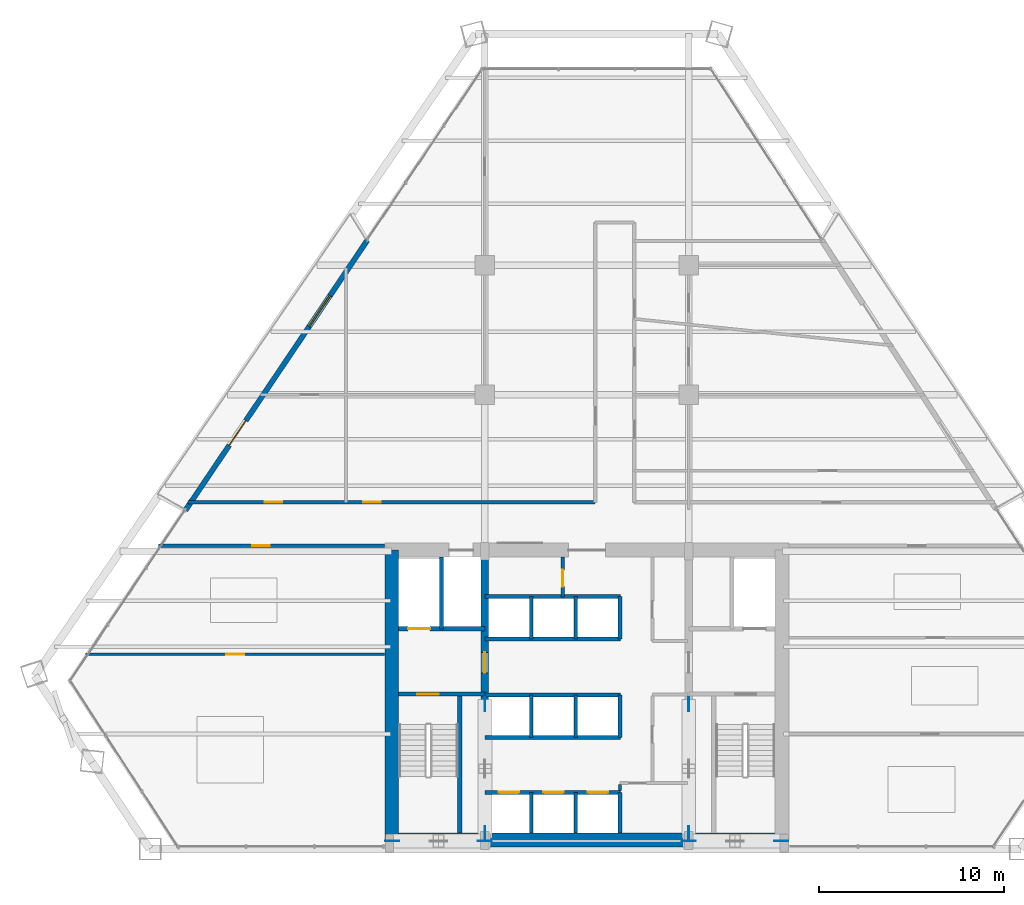
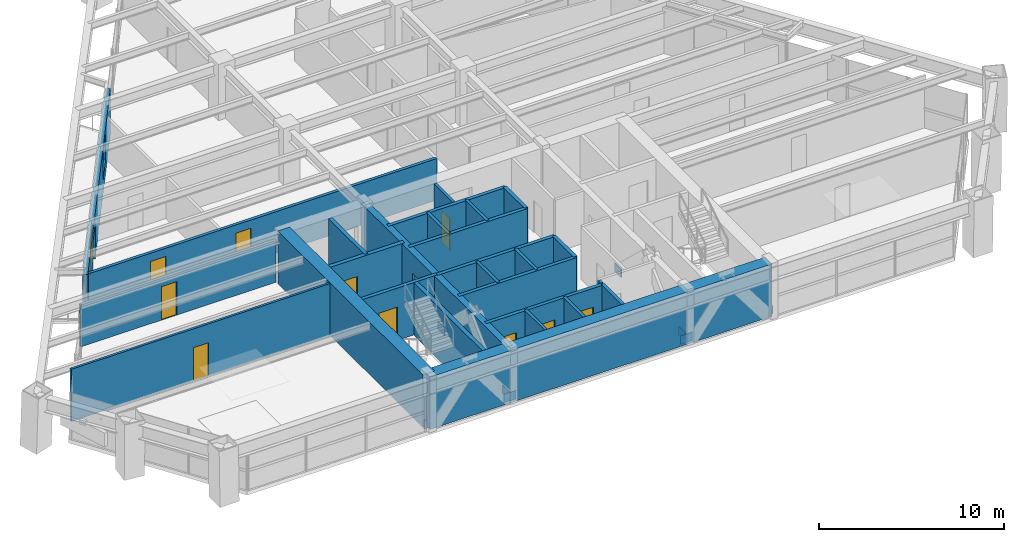
# One storey, part 10 of 14: 27 walls, 12 doors, 8 plates, 1 window, 13 openings.
"""IFC4 building model written with IfcOpenShell, lengths in metres."""

from ifc_helpers import new_model, si_unit, direction, frame, frame_2d, origin, origin_2d, place, context, subcontext, project, spatial, rectangle, extrude, source, transform, mapped, material, layer, layer_set, type_object, type_shapes, element, fill, save


model = new_model("IFC4")

# Units and contexts
model_context = context("Model", 3, precision=1e-05, world=origin(), true_north=direction((0.0, 1.0)))
body_context = subcontext(model_context, "Body", "Model", "MODEL_VIEW")
ifc_project = project(units=[si_unit("LENGTHUNIT", "METRE"), si_unit("AREAUNIT", "SQUARE_METRE"), si_unit("VOLUMEUNIT", "CUBIC_METRE"), si_unit("PLANEANGLEUNIT", "RADIAN"), si_unit("MASSUNIT", "GRAM", prefix="KILO")], contexts=[model_context])

# Site, building, storey
site_placement = place(None, origin())
site = spatial("IfcSite", under=ifc_project, at=site_placement, CompositionType="ELEMENT")
building_placement = place(site_placement, origin())
building = spatial("IfcBuilding", under=site, at=building_placement, Name="Varnakhor Terracotta Tower", CompositionType="ELEMENT")
storey_placement = place(building_placement, frame((0.0, 0.0, 91.39990234375)))
storey = spatial("IfcBuildingStorey", under=building, at=storey_placement, Name="L22", CompositionType="ELEMENT", Elevation=91.39990234375)

# Plates
ifc_material_1 = material(Name="Steel S460", Category="steel")
ifc_layer_1 = layer(ifc_material_1, 0.050048828125, Name="Steel S460")
ifc_layer_set_1 = layer_set([ifc_layer_1], Name="Steel S460")
plate_type = type_object("IfcPlateType", Name="PLT-GUSSET-50", PredefinedType="USERDEFINED", material=ifc_layer_set_1)
shared_shape_1 = source(origin(), body_context, "Body", "SweptSolid", [
    extrude(rectangle(XDim=0.75, YDim=0.0400390625, at=origin_2d()), origin(), (0.0, 0.0, 1.0), 0.550048828125),
])
type_shapes(plate_type, [shared_shape_1])
for number, where, z_axis, x_axis, name in (
    (1, (-10.5, 0.419921875, -0.0947265625), (0.0, 0.0, 1.0), (1.0, 0.0, 0.0), "L22 Core Brace Embed Plate CSWA"),
    (2, (-5.5, 0.419921875, -0.0947265625), (0.0, 0.0, 1.0), (1.0, 0.0, 0.0), "L22 Core Brace Embed Plate CSWB"),
    (3, (5.5, 0.419921875, -0.0947265625), (0.0, 0.0, 1.0), (1.0, 0.0, 0.0), "L22 Core Brace Embed Plate CSEA"),
    (4, (10.5, 0.419921875, -0.0947265625), (0.0, 0.0, 1.0), (1.0, 0.0, 0.0), "L22 Core Brace Embed Plate CSEB"),
    (5, (-5.5, 0.85009765625, -0.0947265625), (0.0, 0.0, 1.0), (0.0, 1.0, 0.0), "L22 Core Brace Embed Plate CWWA"),
    (6, (-5.5, 7.800048828125, -0.0947265625), (0.0, 0.0, 1.0), (0.0, 1.0, 0.0), "L22 Core Brace Embed Plate CWWB"),
    (7, (5.5, 0.85009765625, -0.0947265625), (0.0, 0.0, 1.0), (0.0, 1.0, 0.0), "L22 Core Brace Embed Plate CWEA"),
    (8, (5.5, 7.800048828125, -0.0947265625), (0.0, 0.0, 1.0), (0.0, 1.0, 0.0), "L22 Core Brace Embed Plate CWEB"),
):
    element("IfcPlate", number, at=place(storey_placement, frame(where, z_axis=z_axis, x_axis=x_axis)), inside=storey, type_object=plate_type, Name=name, ObjectType="GUSSET PLATE", PredefinedType="USERDEFINED", context=body_context, shape_type="MappedRepresentation", body=[
        mapped(shared_shape_1, transform((0.0, 0.0, 0.0), scale=1.0)),
    ])

# Walls
ifc_material_2 = material(Name="Concrete C60/75", Category="concrete")
ifc_layer_2 = layer(ifc_material_2, 0.75, Name="Concrete C60/75")
ifc_layer_set_2 = layer_set([ifc_layer_2], Name="Concrete C60/75")
wall_type_1 = type_object("IfcWallType", Name="WAL-CORE-750", PredefinedType="SHEAR", material=ifc_layer_set_2)
wall_1_placement = place(storey_placement, frame((-10.64990234375, 0.47509765625, 0.0), z_axis=(0.0, 0.0, 1.0), x_axis=(1.0, 0.0, 0.0)))
element("IfcWall", 9, at=wall_1_placement, inside=storey, type_object=wall_type_1, Name="L22 South Core Shear Wall", PredefinedType="SHEAR", context=body_context, shape_type="SweptSolid", body=[
    extrude(rectangle(XDim=21.2998046875, YDim=0.75, at=frame_2d((10.64990234375, 0.0))), origin(), (0.0, 0.0, 1.0), 3.4501953125),
])
wall_2_placement = place(storey_placement, frame((-10.52490234375, 0.47509765625, 0.0), z_axis=(0.0, 0.0, 1.0), x_axis=(0.0, 1.0, 0.0)))
element("IfcWall", 10, at=wall_2_placement, inside=storey, type_object=wall_type_1, Name="L22 West Core Shear Wall", PredefinedType="SHEAR", context=body_context, shape_type="SweptSolid", body=[
    extrude(rectangle(XDim=15.64990234375, YDim=0.75, at=frame_2d((7.824951171875, 0.0))), origin(), (0.0, 0.0, 1.0), 3.4501953125),
])

# Wall, opening, door
ifc_material_3 = material(Name="Concrete C50/60", Category="concrete")
ifc_layer_3 = layer(ifc_material_3, 0.39990234375, Name="Concrete C50/60")
ifc_layer_set_3 = layer_set([ifc_layer_3], Name="Concrete C50/60")
wall_type_2 = type_object("IfcWallType", Name="WAL-CORE-WEB-400", PredefinedType="SHEAR", material=ifc_layer_set_3)
wall_3_placement = place(storey_placement, frame((-5.5, 0.47509765625, 0.0), z_axis=(0.0, 0.0, 1.0), x_axis=(0.0, 1.0, 0.0)))
wall_3 = element("IfcWall", 11, at=wall_3_placement, inside=storey, type_object=wall_type_2, Name="L22 West Core Web Shear Wall", PredefinedType="SHEAR", context=body_context, shape_type="SweptSolid", body=[
    extrude(rectangle(XDim=15.64990234375, YDim=0.39990234375, at=frame_2d((7.824951171875, 0.0))), origin(), (0.0, 0.0, 1.0), 3.4501953125),
])
opening_1_placement = place(wall_3_placement, frame((9.02490234375, 0.0, 0.0)))
opening_1 = element("IfcOpeningElement", 12, at=opening_1_placement, cuts=wall_3, Name="Opening DR-25", PredefinedType="OPENING", context=body_context, shape_type="SweptSolid", body=[
    extrude(rectangle(XDim=1.10009765625, YDim=2.199951171875, at=frame_2d((0.550048828125, 1.10009765625))), frame((0.0, 0.2099609375, 0.0), z_axis=(0.0, -1.0, 0.0), x_axis=(1.0, 0.0, 0.0)), (0.0, 0.0, 1.0), 0.419921875),
])
ifc_material_4 = material(Name="Firefighting Lobby Self-Closing Fire Door", Category="steel")
door_type_1 = type_object("IfcDoorType", Name="DR-FFL-1100X2200", OperationType="NOTDEFINED", PredefinedType="DOOR", material=ifc_material_4)
shared_shape_2 = source(origin(), body_context, "Body", "SweptSolid", [
    extrude(rectangle(XDim=1.10009765625, YDim=2.199951171875, at=frame_2d((0.550048828125, 1.10009765625))), frame((0.0, 0.02490234375, 0.0), z_axis=(0.0, -1.0, 0.0), x_axis=(1.0, 0.0, 0.0)), (0.0, 0.0, 1.0), 0.050048828125),
])
type_shapes(door_type_1, [shared_shape_2])
door_1_placement = place(opening_1_placement, origin())
door_1 = element("IfcDoor", 13, at=door_1_placement, inside=storey, type_object=door_type_1, Name="L22 West Firefighting Lobby Door", OperationType="SINGLE_SWING_RIGHT", OverallHeight=2.199951171875, OverallWidth=1.10009765625, PredefinedType="DOOR", context=body_context, shape_type="MappedRepresentation", body=[
    mapped(shared_shape_2, transform((0.0, 0.0, 0.0), scale=1.0)),
])
fill(opening_1, door_1)

ifc_material_5 = material(Name="Fire-Rated Gypsum Stud Partition", Category="gypsum")
ifc_layer_4 = layer(ifc_material_5, 0.18505859375, Name="Fire-Rated Gypsum Stud Partition")
ifc_layer_set_4 = layer_set([ifc_layer_4], Name="Fire-Rated Gypsum Stud Partition")
wall_type_3 = type_object("IfcWallType", Name="WAL-CORR-185", PredefinedType="PARTITIONING", material=ifc_layer_set_4)
wall_4_placement = place(storey_placement, frame((-23.110107421875, 16.35009765625, 0.0), z_axis=(0.0, 0.0, 1.0), x_axis=(1.0, 0.0, 0.0)))
wall_4 = element("IfcWall", 14, at=wall_4_placement, inside=storey, type_object=wall_type_3, Name="L22 South West Corridor Wall", PredefinedType="PARTITIONING", context=body_context, shape_type="SweptSolid", body=[
    extrude(rectangle(XDim=12.190185546875, YDim=0.18505859375, at=frame_2d((6.09521484375, 0.0))), origin(), (0.0, 0.0, 1.0), 2.7470703125),
])
opening_2_placement = place(wall_4_placement, frame((5.044677734375, 0.0, 0.0)))
opening_2 = element("IfcOpeningElement", 15, at=opening_2_placement, cuts=wall_4, Name="Opening DR-94", PredefinedType="OPENING", context=body_context, shape_type="SweptSolid", body=[
    extrude(rectangle(XDim=0.949951171875, YDim=2.199951171875, at=frame_2d((0.47509765625, 1.10009765625))), frame((0.0, 0.1025390625, 0.0), z_axis=(0.0, -1.0, 0.0), x_axis=(1.0, 0.0, 0.0)), (0.0, 0.0, 1.0), 0.205078125),
])
ifc_material_6 = material(Name="Acoustic Glazed-Vision Timber Office Door", Category="wood")
door_type_2 = type_object("IfcDoorType", Name="DR-OFF-950X2200", OperationType="NOTDEFINED", PredefinedType="DOOR", material=ifc_material_6)
shared_shape_3 = source(origin(), body_context, "Body", "SweptSolid", [
    extrude(rectangle(XDim=0.949951171875, YDim=2.199951171875, at=frame_2d((0.47509765625, 1.10009765625))), frame((0.0, 0.02490234375, 0.0), z_axis=(0.0, -1.0, 0.0), x_axis=(1.0, 0.0, 0.0)), (0.0, 0.0, 1.0), 0.050048828125),
])
type_shapes(door_type_2, [shared_shape_3])
door_2_placement = place(opening_2_placement, origin())
door_2 = element("IfcDoor", 16, at=door_2_placement, inside=storey, type_object=door_type_2, Name="L22 SW Suite Door", OperationType="SINGLE_SWING_LEFT", OverallHeight=2.199951171875, OverallWidth=0.949951171875, PredefinedType="DOOR", context=body_context, shape_type="MappedRepresentation", body=[
    mapped(shared_shape_3, transform((0.0, 0.0, 0.0), scale=1.0)),
])
fill(opening_2, door_2)

# Wall, openings, doors
wall_5_placement = place(storey_placement, frame((-21.527099609375, 18.699951171875, 0.0), z_axis=(0.0, 0.0, 1.0), x_axis=(1.0, 0.0, 0.0)))
wall_5 = element("IfcWall", 17, at=wall_5_placement, inside=storey, type_object=wall_type_3, Name="L22 Corridor North West Wall", PredefinedType="PARTITIONING", context=body_context, shape_type="SweptSolid", body=[
    extrude(rectangle(XDim=21.97705078125, YDim=0.18505859375, at=frame_2d((10.988525390625, 0.0))), origin(), (0.0, 0.0, 1.0), 2.7470703125),
])
opening_3_placement = place(wall_5_placement, frame((9.44873046875, 0.0, 0.0)))
opening_3 = element("IfcOpeningElement", 18, at=opening_3_placement, cuts=wall_5, Name="Opening DR-94", PredefinedType="OPENING", context=body_context, shape_type="SweptSolid", body=[
    extrude(rectangle(XDim=0.949951171875, YDim=2.199951171875, at=frame_2d((0.47509765625, 1.10009765625))), frame((0.0, 0.1025390625, 0.0), z_axis=(0.0, -1.0, 0.0), x_axis=(1.0, 0.0, 0.0)), (0.0, 0.0, 1.0), 0.205078125),
])
opening_4_placement = place(wall_5_placement, frame((4.143798828125, 0.0, 0.0)))
opening_4 = element("IfcOpeningElement", 19, at=opening_4_placement, cuts=wall_5, Name="Opening DR-94", PredefinedType="OPENING", context=body_context, shape_type="SweptSolid", body=[
    extrude(rectangle(XDim=0.949951171875, YDim=2.199951171875, at=frame_2d((0.47509765625, 1.10009765625))), frame((0.0, 0.1025390625, 0.0), z_axis=(0.0, -1.0, 0.0), x_axis=(1.0, 0.0, 0.0)), (0.0, 0.0, 1.0), 0.205078125),
])
door_3_placement = place(opening_3_placement, origin())
door_3 = element("IfcDoor", 20, at=door_3_placement, inside=storey, type_object=door_type_2, Name="L22 West Workplace Door", OperationType="SINGLE_SWING_LEFT", OverallHeight=2.199951171875, OverallWidth=0.949951171875, PredefinedType="DOOR", context=body_context, shape_type="MappedRepresentation", body=[
    mapped(shared_shape_3, transform((0.0, 0.0, 0.0), scale=1.0)),
])
fill(opening_3, door_3)
door_4_placement = place(opening_4_placement, origin())
door_4 = element("IfcDoor", 21, at=door_4_placement, inside=storey, type_object=door_type_2, Name="L22 Corporate Anchor Suite West Door", OperationType="SINGLE_SWING_LEFT", OverallHeight=2.199951171875, OverallWidth=0.949951171875, PredefinedType="DOOR", context=body_context, shape_type="MappedRepresentation", body=[
    mapped(shared_shape_3, transform((0.0, 0.0, 0.0), scale=1.0)),
])
fill(opening_4, door_4)

# Wall, openings, door, window
ifc_material_7 = material(Name="Extruded Architectural Terracotta Assembly", Category="masonry")
ifc_layer_5 = layer(ifc_material_7, 0.280029296875, Name="Extruded Architectural Terracotta Assembly")
ifc_layer_set_5 = layer_set([ifc_layer_5], Name="Extruded Architectural Terracotta Assembly")
wall_type_4 = type_object("IfcWallType", Name="WAL-EXT-TERRACOTTA-280", PredefinedType="SOLIDWALL", material=ifc_layer_set_5)
wall_6_placement = place(storey_placement, frame((-21.654296875, 18.278564453125, 0.0), z_axis=(0.0, 0.0, 1.0), x_axis=(0.558730690693, 0.829349151611, 0.0)))
wall_6 = element("IfcWall", 22, at=wall_6_placement, inside=storey, type_object=wall_type_4, Name="L22 W Loggia Insulated Terracotta Wall", PredefinedType="SOLIDWALL", context=body_context, shape_type="SweptSolid", body=[
    extrude(rectangle(XDim=17.5703125, YDim=0.280029296875, at=frame_2d((8.78515625, 0.0))), origin(), (0.0, 0.0, 1.0), 3.030029296875),
])
opening_5_placement = place(wall_6_placement, frame((4.216796875, 0.0, 0.0)))
opening_5 = element("IfcOpeningElement", 23, at=opening_5_placement, cuts=wall_6, Name="Opening DR-62", PredefinedType="OPENING", context=body_context, shape_type="SweptSolid", body=[
    extrude(rectangle(XDim=1.60009765625, YDim=2.35009765625, at=frame_2d((0.800048828125, 1.175048828125))), frame((0.0, 0.14990234375, 0.0), z_axis=(0.0, -1.0, 0.0), x_axis=(1.0, 0.0, 0.0)), (0.0, 0.0, 1.0), 0.300048828125),
])
opening_6_placement = place(wall_6_placement, frame((11.947998046875, 0.0, 0.89990234375)))
opening_6 = element("IfcOpeningElement", 24, at=opening_6_placement, cuts=wall_6, Name="Opening WN-26", PredefinedType="OPENING", context=body_context, shape_type="SweptSolid", body=[
    extrude(rectangle(XDim=2.0, YDim=1.85009765625, at=frame_2d((1.0, 0.925048828125))), frame((0.0, 0.14990234375, 0.0), z_axis=(0.0, -1.0, 0.0), x_axis=(1.0, 0.0, 0.0)), (0.0, 0.0, 1.0), 0.300048828125),
])
ifc_material_8 = material(Name="Thermally Broken Sliding Glass Loggia Door", Category="glass")
door_type_3 = type_object("IfcDoorType", Name="DR-EXT-LOGGIA-1600X2350", OperationType="NOTDEFINED", PredefinedType="DOOR", material=ifc_material_8)
shared_shape_4 = source(origin(), body_context, "Body", "SweptSolid", [
    extrude(rectangle(XDim=1.60009765625, YDim=2.35009765625, at=frame_2d((0.800048828125, 1.175048828125))), frame((0.0, 0.02490234375, 0.0), z_axis=(0.0, -1.0, 0.0), x_axis=(1.0, 0.0, 0.0)), (0.0, 0.0, 1.0), 0.050048828125),
])
type_shapes(door_type_3, [shared_shape_4])
door_5_placement = place(opening_5_placement, origin())
door_5 = element("IfcDoor", 25, at=door_5_placement, inside=storey, type_object=door_type_3, Name="L22 W Recessed Loggia Sliding Door", OperationType="SLIDING_TO_LEFT", OverallHeight=2.35009765625, OverallWidth=1.60009765625, PredefinedType="DOOR", context=body_context, shape_type="MappedRepresentation", body=[
    mapped(shared_shape_4, transform((0.0, 0.0, 0.0), scale=1.0)),
])
fill(opening_5, door_5)
ifc_material_9 = material(Name="Solar-Control Low-E Insulated Glass Unit", Category="glass")
window_type = type_object("IfcWindowType", Name="WIN-OFF-2200X2100", PartitioningType="SINGLE_PANEL", PredefinedType="WINDOW", material=ifc_material_9)
shared_shape_5 = source(origin(), body_context, "Body", "SweptSolid", [
    extrude(rectangle(XDim=2.0, YDim=1.85009765625, at=frame_2d((1.0, 0.925048828125))), frame((0.0, 0.030029296875, 0.0), z_axis=(0.0, -1.0, 0.0), x_axis=(1.0, 0.0, 0.0)), (0.0, 0.0, 1.0), 0.06005859375),
])
type_shapes(window_type, [shared_shape_5])
window_placement = place(opening_6_placement, origin())
window = element("IfcWindow", 26, at=window_placement, inside=storey, type_object=window_type, Name="L22 W Facet Punched Window", OverallHeight=1.85009765625, OverallWidth=2.0, PartitioningType="SINGLE_PANEL", PredefinedType="WINDOW", context=body_context, shape_type="MappedRepresentation", body=[
    mapped(shared_shape_5, transform((0.0, 0.0, 0.0), scale=1.0)),
])
fill(opening_6, window)

# Wall, opening, door
ifc_material_10 = material(Name="Concrete C40/50", Category="concrete")
ifc_layer_6 = layer(ifc_material_10, 0.219970703125, Name="Concrete C40/50")
ifc_layer_set_6 = layer_set([ifc_layer_6], Name="Concrete C40/50")
wall_type_5 = type_object("IfcWallType", Name="WAL-FFLOBBY-220", PredefinedType="SOLIDWALL", material=ifc_layer_set_6)
wall_7_placement = place(storey_placement, frame((-5.5, 8.35009765625, 0.0), z_axis=(0.0, 0.0, 1.0), x_axis=(-1.0, 0.0, 0.0)))
wall_7 = element("IfcWall", 27, at=wall_7_placement, inside=storey, type_object=wall_type_5, Name="L22 West Firefighting Lobby Stair Wall", PredefinedType="SOLIDWALL", context=body_context, shape_type="SweptSolid", body=[
    extrude(rectangle(XDim=4.64990234375, YDim=0.219970703125, at=frame_2d((2.324951171875, 0.0))), origin(), (0.0, 0.0, 1.0), 3.4501953125),
])
opening_7_placement = place(wall_7_placement, frame((2.5, 0.0, 0.0)))
opening_7 = element("IfcOpeningElement", 28, at=opening_7_placement, cuts=wall_7, Name="Opening DR-34", PredefinedType="OPENING", context=body_context, shape_type="SweptSolid", body=[
    extrude(rectangle(XDim=1.14990234375, YDim=2.199951171875, at=frame_2d((0.574951171875, 1.10009765625))), frame((0.0, 0.1201171875, 0.0), z_axis=(0.0, -1.0, 0.0), x_axis=(1.0, 0.0, 0.0)), (0.0, 0.0, 1.0), 0.239990234375),
])
ifc_material_11 = material(Name="Self-Closing Smoke-Sealed Steel Fire Door", Category="steel")
door_type_4 = type_object("IfcDoorType", Name="DR-STAIR-1150X2200", OperationType="NOTDEFINED", PredefinedType="DOOR", material=ifc_material_11)
shared_shape_6 = source(origin(), body_context, "Body", "SweptSolid", [
    extrude(rectangle(XDim=1.14990234375, YDim=2.199951171875, at=frame_2d((0.574951171875, 1.10009765625))), frame((0.0, 0.02490234375, 0.0), z_axis=(0.0, -1.0, 0.0), x_axis=(1.0, 0.0, 0.0)), (0.0, 0.0, 1.0), 0.050048828125),
])
type_shapes(door_type_4, [shared_shape_6])
door_6_placement = place(opening_7_placement, origin())
door_6 = element("IfcDoor", 29, at=door_6_placement, inside=storey, type_object=door_type_4, Name="L22 Exit Stair ST-1 Fire Door", OperationType="SINGLE_SWING_LEFT", OverallHeight=2.199951171875, OverallWidth=1.14990234375, PredefinedType="DOOR", context=body_context, shape_type="MappedRepresentation", body=[
    mapped(shared_shape_6, transform((0.0, 0.0, 0.0), scale=1.0)),
])
fill(opening_7, door_6)

ifc_material_12 = material(Name="Acoustic Metal-Stud Partition", Category="gypsum")
ifc_layer_7 = layer(ifc_material_12, 0.139892578125, Name="Acoustic Metal-Stud Partition")
ifc_layer_set_7 = layer_set([ifc_layer_7], Name="Acoustic Metal-Stud Partition")
wall_type_6 = type_object("IfcWallType", Name="WAL-PART-140", PredefinedType="PARTITIONING", material=ifc_layer_set_7)
wall_8_placement = place(storey_placement, frame((-27.05126953125, 10.5, 0.0), z_axis=(0.0, 0.0, 1.0), x_axis=(1.0, 0.0, 0.0)))
wall_8 = element("IfcWall", 30, at=wall_8_placement, inside=storey, type_object=wall_type_6, Name="L22 South West Cut 1", PredefinedType="PARTITIONING", context=body_context, shape_type="SweptSolid", body=[
    extrude(rectangle(XDim=16.13134765625, YDim=0.139892578125, at=frame_2d((8.065673828125, 0.0))), origin(), (0.0, 0.0, 1.0), 3.442138671875),
])
opening_8_placement = place(wall_8_placement, frame((7.602783203125, 0.0, 0.0)))
opening_8 = element("IfcOpeningElement", 31, at=opening_8_placement, cuts=wall_8, Name="Opening DR-94", PredefinedType="OPENING", context=body_context, shape_type="SweptSolid", body=[
    extrude(rectangle(XDim=0.949951171875, YDim=2.199951171875, at=frame_2d((0.47509765625, 1.10009765625))), frame((0.0, 0.080078125, 0.0), z_axis=(0.0, -1.0, 0.0), x_axis=(1.0, 0.0, 0.0)), (0.0, 0.0, 1.0), 0.159912109375),
])
door_7_placement = place(opening_8_placement, origin())
door_7 = element("IfcDoor", 32, at=door_7_placement, inside=storey, type_object=door_type_2, Name="L22 South West Executive Office Door", OperationType="SINGLE_SWING_LEFT", OverallHeight=2.199951171875, OverallWidth=0.949951171875, PredefinedType="DOOR", context=body_context, shape_type="MappedRepresentation", body=[
    mapped(shared_shape_3, transform((0.0, 0.0, 0.0), scale=1.0)),
])
fill(opening_8, door_7)

# Walls
ifc_layer_8 = layer(ifc_material_10, 0.179931640625, Name="Concrete C40/50")
ifc_layer_set_8 = layer_set([ifc_layer_8], Name="Concrete C40/50")
wall_type_7 = type_object("IfcWallType", Name="WAL-SHAFT-180", PredefinedType="SOLIDWALL", material=ifc_layer_set_8)
for number, where, z_axis, x_axis, name in (
    (33, (-3.0, 0.85009765625, 0.0), (0.0, 0.0, 1.0), (0.0, 1.0, 0.0), "L22 PL-1A Divider"),
    (34, (-0.60009765625, 0.85009765625, 0.0), (0.0, 0.0, 1.0), (0.0, 1.0, 0.0), "L22 PL-1B Divider"),
):
    element("IfcWall", number, at=place(storey_placement, frame(where, z_axis=z_axis, x_axis=x_axis)), inside=storey, type_object=wall_type_7, Name=name, PredefinedType="SOLIDWALL", context=body_context, shape_type="SweptSolid", body=[
        extrude(rectangle(XDim=2.199951171875, YDim=0.179931640625, at=frame_2d((1.10009765625, 0.0))), origin(), (0.0, 0.0, 1.0), 3.4501953125),
    ])
for number, where, z_axis, x_axis, name in (
    (35, (-3.0, 6.0, 0.0), (0.0, 0.0, 1.0), (0.0, 1.0, 0.0), "L22 PL-2A Divider"),
    (36, (-0.60009765625, 6.0, 0.0), (0.0, 0.0, 1.0), (0.0, 1.0, 0.0), "L22 PL-2B Divider"),
    (37, (-3.0, 11.320068359375, 0.0), (0.0, 0.0, 1.0), (0.0, 1.0, 0.0), "L22 PL-3A Divider"),
    (38, (-0.60009765625, 11.320068359375, 0.0), (0.0, 0.0, 1.0), (0.0, 1.0, 0.0), "L22 PL-3B Divider"),
):
    element("IfcWall", number, at=place(storey_placement, frame(where, z_axis=z_axis, x_axis=x_axis)), inside=storey, type_object=wall_type_7, Name=name, PredefinedType="SOLIDWALL", context=body_context, shape_type="SweptSolid", body=[
        extrude(rectangle(XDim=2.300048828125, YDim=0.179931640625, at=frame_2d((1.14990234375, 0.0))), origin(), (0.0, 0.0, 1.0), 3.4501953125),
    ])
ifc_layer_9 = layer(ifc_material_10, 0.219970703125, Name="Concrete C40/50")
ifc_layer_set_9 = layer_set([ifc_layer_9], Name="Concrete C40/50")
wall_type_8 = type_object("IfcWallType", Name="WAL-SHAFT-220", PredefinedType="SOLIDWALL", material=ifc_layer_set_9)
wall_9_placement = place(storey_placement, frame((-7.840087890625, 11.8701171875, 0.0), z_axis=(0.0, 0.0, 1.0), x_axis=(0.0, 1.0, 0.0)))
element("IfcWall", 39, at=wall_9_placement, inside=storey, type_object=wall_type_8, Name="L22 Lift FFL-1 and SVL-1 Divider Wall", PredefinedType="SOLIDWALL", context=body_context, shape_type="SweptSolid", body=[
    extrude(rectangle(XDim=3.8798828125, YDim=0.219970703125, at=frame_2d((1.93994140625, 0.0))), origin(), (0.0, 0.0, 1.0), 3.4501953125),
])

# Wall, openings, doors
wall_10_placement = place(storey_placement, frame((-5.5, 3.050048828125, 0.0), z_axis=(0.0, 0.0, 1.0), x_axis=(1.0, 0.0, 0.0)))
wall_10 = element("IfcWall", 40, at=wall_10_placement, inside=storey, type_object=wall_type_8, Name="L22 Bank 1 Lift Shaft Wall", PredefinedType="SOLIDWALL", context=body_context, shape_type="SweptSolid", body=[
    extrude(rectangle(XDim=7.320068359375, YDim=0.219970703125, at=frame_2d((3.66015625, 0.0))), origin(), (0.0, 0.0, 1.0), 3.4501953125),
])
opening_9_placement = place(wall_10_placement, frame((0.75, 0.0, 0.0)))
opening_9 = element("IfcOpeningElement", 41, at=opening_9_placement, cuts=wall_10, Name="Opening LD-01", PredefinedType="OPENING", context=body_context, shape_type="SweptSolid", body=[
    extrude(rectangle(XDim=1.10009765625, YDim=2.199951171875, at=frame_2d((0.550048828125, 1.10009765625))), frame((0.0, 0.1201171875, 0.0), z_axis=(0.0, -1.0, 0.0), x_axis=(1.0, 0.0, 0.0)), (0.0, 0.0, 1.0), 0.239990234375),
])
opening_10_placement = place(wall_10_placement, frame((3.14990234375, 0.0, 0.0)))
opening_10 = element("IfcOpeningElement", 42, at=opening_10_placement, cuts=wall_10, Name="Opening LD-01", PredefinedType="OPENING", context=body_context, shape_type="SweptSolid", body=[
    extrude(rectangle(XDim=1.10009765625, YDim=2.199951171875, at=frame_2d((0.550048828125, 1.10009765625))), frame((0.0, 0.1201171875, 0.0), z_axis=(0.0, -1.0, 0.0), x_axis=(1.0, 0.0, 0.0)), (0.0, 0.0, 1.0), 0.239990234375),
])
opening_11_placement = place(wall_10_placement, frame((5.550048828125, 0.0, 0.0)))
opening_11 = element("IfcOpeningElement", 43, at=opening_11_placement, cuts=wall_10, Name="Opening LD-01", PredefinedType="OPENING", context=body_context, shape_type="SweptSolid", body=[
    extrude(rectangle(XDim=1.10009765625, YDim=2.199951171875, at=frame_2d((0.550048828125, 1.10009765625))), frame((0.0, 0.1201171875, 0.0), z_axis=(0.0, -1.0, 0.0), x_axis=(1.0, 0.0, 0.0)), (0.0, 0.0, 1.0), 0.239990234375),
])
ifc_material_13 = material(Name="Brushed Stainless Steel Sliding Lift Landing Door", Category="steel")
door_type_5 = type_object("IfcDoorType", Name="LD-PASS-1100X2200", OperationType="NOTDEFINED", PredefinedType="DOOR", material=ifc_material_13)
shared_shape_7 = source(origin(), body_context, "Body", "SweptSolid", [
    extrude(rectangle(XDim=1.10009765625, YDim=2.199951171875, at=frame_2d((0.550048828125, 1.10009765625))), frame((0.0, 0.02490234375, 0.0), z_axis=(0.0, -1.0, 0.0), x_axis=(1.0, 0.0, 0.0)), (0.0, 0.0, 1.0), 0.050048828125),
])
type_shapes(door_type_5, [shared_shape_7])
door_8_placement = place(opening_9_placement, origin())
door_8 = element("IfcDoor", 44, at=door_8_placement, inside=storey, type_object=door_type_5, Name="L22 Passenger Lift PL-1A Landing Door", OperationType="SLIDING_TO_RIGHT", OverallHeight=2.199951171875, OverallWidth=1.10009765625, PredefinedType="DOOR", context=body_context, shape_type="MappedRepresentation", body=[
    mapped(shared_shape_7, transform((0.0, 0.0, 0.0), scale=1.0)),
])
fill(opening_9, door_8)
door_9_placement = place(opening_10_placement, origin())
door_9 = element("IfcDoor", 45, at=door_9_placement, inside=storey, type_object=door_type_5, Name="L22 Passenger Lift PL-1B Landing Door", OperationType="SLIDING_TO_RIGHT", OverallHeight=2.199951171875, OverallWidth=1.10009765625, PredefinedType="DOOR", context=body_context, shape_type="MappedRepresentation", body=[
    mapped(shared_shape_7, transform((0.0, 0.0, 0.0), scale=1.0)),
])
fill(opening_10, door_9)
door_10_placement = place(opening_11_placement, origin())
door_10 = element("IfcDoor", 46, at=door_10_placement, inside=storey, type_object=door_type_5, Name="L22 Passenger Lift PL-1C Landing Door", OperationType="SLIDING_TO_RIGHT", OverallHeight=2.199951171875, OverallWidth=1.10009765625, PredefinedType="DOOR", context=body_context, shape_type="MappedRepresentation", body=[
    mapped(shared_shape_7, transform((0.0, 0.0, 0.0), scale=1.0)),
])
fill(opening_11, door_10)

# Walls
wall_11_placement = place(storey_placement, frame((1.800048828125, 0.85009765625, 0.0), z_axis=(0.0, 0.0, 1.0), x_axis=(0.0, 1.0, 0.0)))
element("IfcWall", 47, at=wall_11_placement, inside=storey, type_object=wall_type_8, Name="L22 Bank 1 East Shaft Wall", PredefinedType="SOLIDWALL", context=body_context, shape_type="SweptSolid", body=[
    extrude(rectangle(XDim=2.199951171875, YDim=0.219970703125, at=frame_2d((1.10009765625, 0.0))), origin(), (0.0, 0.0, 1.0), 3.4501953125),
])
for number, where, z_axis, x_axis, name in (
    (48, (-5.5, 6.0, 0.0), (0.0, 0.0, 1.0), (1.0, 0.0, 0.0), "L22 Bank 2 South Shaft Wall"),
    (49, (-5.5, 8.300048828125, 0.0), (0.0, 0.0, 1.0), (1.0, 0.0, 0.0), "L22 Bank 2 North Shaft Wall"),
):
    element("IfcWall", number, at=place(storey_placement, frame(where, z_axis=z_axis, x_axis=x_axis)), inside=storey, type_object=wall_type_8, Name=name, PredefinedType="SOLIDWALL", context=body_context, shape_type="SweptSolid", body=[
        extrude(rectangle(XDim=7.320068359375, YDim=0.219970703125, at=frame_2d((3.66015625, 0.0))), origin(), (0.0, 0.0, 1.0), 3.4501953125),
    ])
wall_12_placement = place(storey_placement, frame((1.800048828125, 6.0, 0.0), z_axis=(0.0, 0.0, 1.0), x_axis=(0.0, 1.0, 0.0)))
element("IfcWall", 50, at=wall_12_placement, inside=storey, type_object=wall_type_8, Name="L22 Bank 2 East Shaft Wall", PredefinedType="SOLIDWALL", context=body_context, shape_type="SweptSolid", body=[
    extrude(rectangle(XDim=2.300048828125, YDim=0.219970703125, at=frame_2d((1.14990234375, 0.0))), origin(), (0.0, 0.0, 1.0), 3.4501953125),
])
for number, where, z_axis, x_axis, name in (
    (51, (-5.5, 11.320068359375, 0.0), (0.0, 0.0, 1.0), (1.0, 0.0, 0.0), "L22 Bank 3 South Shaft Wall"),
    (52, (-5.5, 13.6201171875, 0.0), (0.0, 0.0, 1.0), (1.0, 0.0, 0.0), "L22 Bank 3 North Shaft Wall"),
):
    element("IfcWall", number, at=place(storey_placement, frame(where, z_axis=z_axis, x_axis=x_axis)), inside=storey, type_object=wall_type_8, Name=name, PredefinedType="SOLIDWALL", context=body_context, shape_type="SweptSolid", body=[
        extrude(rectangle(XDim=7.320068359375, YDim=0.219970703125, at=frame_2d((3.66015625, 0.0))), origin(), (0.0, 0.0, 1.0), 3.4501953125),
    ])
wall_13_placement = place(storey_placement, frame((1.800048828125, 11.320068359375, 0.0), z_axis=(0.0, 0.0, 1.0), x_axis=(0.0, 1.0, 0.0)))
element("IfcWall", 53, at=wall_13_placement, inside=storey, type_object=wall_type_8, Name="L22 Bank 3 East Shaft Wall", PredefinedType="SOLIDWALL", context=body_context, shape_type="SweptSolid", body=[
    extrude(rectangle(XDim=2.300048828125, YDim=0.219970703125, at=frame_2d((1.14990234375, 0.0))), origin(), (0.0, 0.0, 1.0), 3.4501953125),
])
ifc_layer_10 = layer(ifc_material_10, 0.25, Name="Concrete C40/50")
ifc_layer_set_10 = layer_set([ifc_layer_10], Name="Concrete C40/50")
wall_type_9 = type_object("IfcWallType", Name="WAL-SHAFT-250", PredefinedType="SOLIDWALL", material=ifc_layer_set_10)
wall_14_placement = place(storey_placement, frame((-6.85009765625, 0.85009765625, 0.0), z_axis=(0.0, 0.0, 1.0), x_axis=(0.0, 1.0, 0.0)))
element("IfcWall", 54, at=wall_14_placement, inside=storey, type_object=wall_type_9, Name="L22 Stair ST-1 Bearing Shaft Wall", PredefinedType="SOLIDWALL", context=body_context, shape_type="SweptSolid", body=[
    extrude(rectangle(XDim=7.5, YDim=0.25, at=frame_2d((3.75, 0.0))), origin(), (0.0, 0.0, 1.0), 3.4501953125),
])

# Wall, opening, door
wall_15_placement = place(storey_placement, frame((-5.5, 11.8701171875, 0.0), z_axis=(0.0, 0.0, 1.0), x_axis=(-1.0, 0.0, 0.0)))
wall_15 = element("IfcWall", 55, at=wall_15_placement, inside=storey, type_object=wall_type_9, Name="L22 Lift FFL-1 Shaft Front Wall", PredefinedType="SOLIDWALL", context=body_context, shape_type="SweptSolid", body=[
    extrude(rectangle(XDim=4.64990234375, YDim=0.25, at=frame_2d((2.324951171875, 0.0))), origin(), (0.0, 0.0, 1.0), 3.4501953125),
])
opening_12_placement = place(wall_15_placement, frame((2.949951171875, 0.0, 0.0)))
opening_12 = element("IfcOpeningElement", 56, at=opening_12_placement, cuts=wall_15, Name="Opening LD-02", PredefinedType="OPENING", context=body_context, shape_type="SweptSolid", body=[
    extrude(rectangle(XDim=1.199951171875, YDim=2.25, at=frame_2d((0.60009765625, 1.125))), frame((0.0, 0.135009765625, 0.0), z_axis=(0.0, -1.0, 0.0), x_axis=(1.0, 0.0, 0.0)), (0.0, 0.0, 1.0), 0.27001953125),
])
ifc_material_14 = material(Name="Firefighting Stretcher Sliding Lift Landing Door", Category="steel")
door_type_6 = type_object("IfcDoorType", Name="LD-FFL-1200X2250", OperationType="NOTDEFINED", PredefinedType="DOOR", material=ifc_material_14)
shared_shape_8 = source(origin(), body_context, "Body", "SweptSolid", [
    extrude(rectangle(XDim=1.199951171875, YDim=2.25, at=frame_2d((0.60009765625, 1.125))), frame((0.0, 0.02490234375, 0.0), z_axis=(0.0, -1.0, 0.0), x_axis=(1.0, 0.0, 0.0)), (0.0, 0.0, 1.0), 0.050048828125),
])
type_shapes(door_type_6, [shared_shape_8])
door_11_placement = place(opening_12_placement, origin())
door_11 = element("IfcDoor", 57, at=door_11_placement, inside=storey, type_object=door_type_6, Name="L22 Firefighting Lift FFL-1 Landing Door", OperationType="SLIDING_TO_LEFT", OverallHeight=2.25, OverallWidth=1.199951171875, PredefinedType="DOOR", context=body_context, shape_type="MappedRepresentation", body=[
    mapped(shared_shape_8, transform((0.0, 0.0, 0.0), scale=1.0)),
])
fill(opening_12, door_11)

# Wall
ifc_material_15 = material(Name="Acoustic Fire-Rated Partition", Category="gypsum")
ifc_layer_11 = layer(ifc_material_15, 0.1650390625, Name="Acoustic Fire-Rated Partition")
ifc_layer_set_11 = layer_set([ifc_layer_11], Name="Acoustic Fire-Rated Partition")
wall_type_10 = type_object("IfcWallType", Name="WAL-TENANCY-165", PredefinedType="PARTITIONING", material=ifc_layer_set_11)
wall_16_placement = place(storey_placement, frame((1.800048828125, 3.159912109375, 0.0), z_axis=(0.0, 0.0, 1.0), x_axis=(0.0, 1.0, 0.0)))
element("IfcWall", 58, at=wall_16_placement, inside=storey, type_object=wall_type_10, Name="L22 Core South West Return Wall", PredefinedType="PARTITIONING", context=body_context, shape_type="SweptSolid", body=[
    extrude(rectangle(XDim=0.3076171875, YDim=0.1650390625, at=frame_2d((0.15380859375, 0.0))), origin(), (0.0, 0.0, 1.0), 3.442138671875),
])

# Wall, opening, door
wall_17_placement = place(storey_placement, frame((-1.300048828125, 13.60009765625, 0.0), z_axis=(0.0, 0.0, 1.0), x_axis=(0.0, 1.0, 0.0)))
wall_17 = element("IfcWall", 59, at=wall_17_placement, inside=storey, type_object=wall_type_10, Name="L22 Male Restroom Wall", PredefinedType="PARTITIONING", context=body_context, shape_type="SweptSolid", body=[
    extrude(rectangle(XDim=2.14990234375, YDim=0.1650390625, at=frame_2d((1.074951171875, 0.0))), origin(), (0.0, 0.0, 1.0), 3.442138671875),
])
opening_13_placement = place(wall_17_placement, frame((0.550048828125, 0.0, 0.0)))
opening_13 = element("IfcOpeningElement", 60, at=opening_13_placement, cuts=wall_17, Name="Opening DR-67", PredefinedType="OPENING", context=body_context, shape_type="SweptSolid", body=[
    extrude(rectangle(XDim=0.89990234375, YDim=2.10009765625, at=frame_2d((0.449951171875, 1.050048828125))), frame((0.0, 0.092529296875, 0.0), z_axis=(0.0, -1.0, 0.0), x_axis=(1.0, 0.0, 0.0)), (0.0, 0.0, 1.0), 0.18505859375),
])
ifc_material_16 = material(Name="Steel Service Riser Fire Door", Category="steel")
door_type_7 = type_object("IfcDoorType", Name="DR-RISER-900X2100", OperationType="NOTDEFINED", PredefinedType="DOOR", material=ifc_material_16)
shared_shape_9 = source(origin(), body_context, "Body", "SweptSolid", [
    extrude(rectangle(XDim=0.89990234375, YDim=2.10009765625, at=frame_2d((0.449951171875, 1.050048828125))), frame((0.0, 0.02490234375, 0.0), z_axis=(0.0, -1.0, 0.0), x_axis=(1.0, 0.0, 0.0)), (0.0, 0.0, 1.0), 0.050048828125),
])
type_shapes(door_type_7, [shared_shape_9])
door_12_placement = place(opening_13_placement, origin())
door_12 = element("IfcDoor", 61, at=door_12_placement, inside=storey, type_object=door_type_7, Name="L22 Male WC Door", OperationType="SINGLE_SWING_LEFT", OverallHeight=2.10009765625, OverallWidth=0.89990234375, PredefinedType="DOOR", context=body_context, shape_type="MappedRepresentation", body=[
    mapped(shared_shape_9, transform((0.0, 0.0, 0.0), scale=1.0)),
])
fill(opening_13, door_12)

save(model, "model.ifc")
